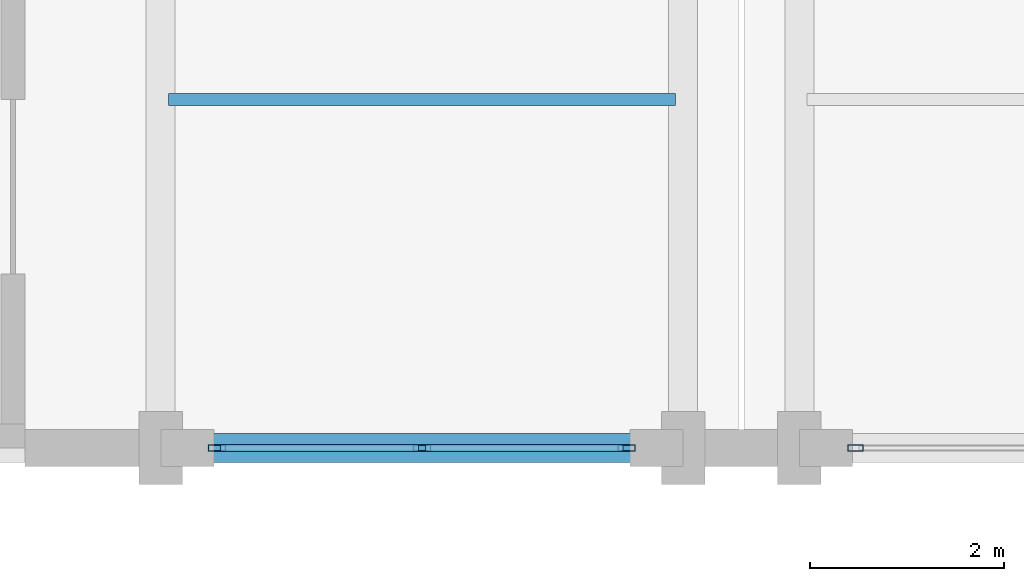
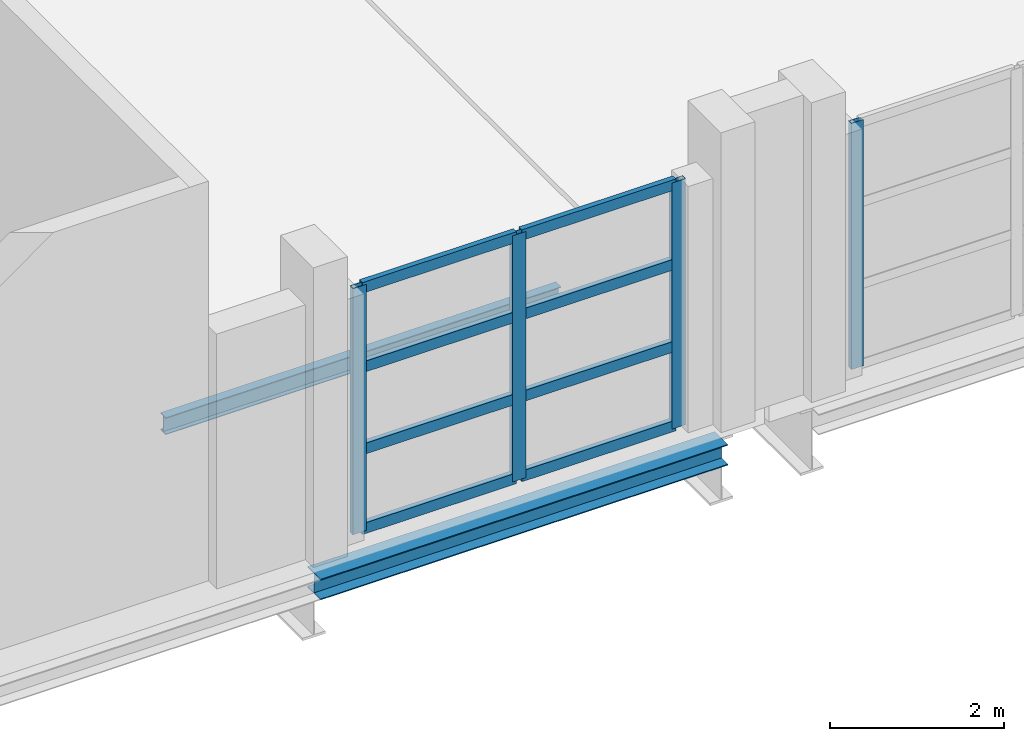
# One storey, part 68 of 147: 12 members, 2 beams, 2 elements without a shape of their own.
"""IFC4 building model written with IfcOpenShell, lengths in metres."""

from ifc_helpers import new_model, si_unit, direction, frame, origin, origin_2d, place, context, subcontext, project, spatial, hollow_rectangle, i_section, extrude, material, layer, layer_set, material_profile, profile_set, type_object, element, aggregate, save


model = new_model("IFC4")

# Units and contexts
model_context = context("Model", 3, precision=1e-05, world=origin(), true_north=direction((0.0, 1.0)))
body_context = subcontext(model_context, "Body", "Model", "MODEL_VIEW")
ifc_project = project(units=[si_unit("LENGTHUNIT", "METRE"), si_unit("AREAUNIT", "SQUARE_METRE"), si_unit("VOLUMEUNIT", "CUBIC_METRE"), si_unit("PLANEANGLEUNIT", "RADIAN"), si_unit("MASSUNIT", "GRAM", prefix="KILO")], contexts=[model_context])

# Site, building, storey
site_placement = place(None, origin())
site = spatial("IfcSite", under=ifc_project, at=site_placement, CompositionType="ELEMENT")
building_placement = place(site_placement, origin())
building = spatial("IfcBuilding", under=site, at=building_placement, Name="Zilviju Railside Exhibition Hall", CompositionType="ELEMENT")
storey_placement = place(building_placement, frame((0.0, 0.0, 8.39990234375)))
storey = spatial("IfcBuildingStorey", under=building, at=storey_placement, Name="L03", CompositionType="ELEMENT", Elevation=8.39990234375)

# Beams
ifc_material_1 = material(Name="Steel S355J2", Category="steel")
ifc_material_profile_1 = material_profile(ifc_material_1, i_section(OverallWidth=0.300048828125, OverallDepth=0.2900390625, WebThickness=0.008544921875, FlangeThickness=0.013916015625, at=origin_2d()), Name="HEA 300")
ifc_profile_set_1 = profile_set([ifc_material_profile_1], Name="Steel S355J2")
beam_type_1 = type_object("IfcBeamType", Name="BM-HEA300", PredefinedType="SPANDREL", material=ifc_profile_set_1)
beam_1_placement = place(storey_placement, frame((120.0, 84.0, -0.52490234375), z_axis=(1.0, 0.0, 0.0), x_axis=(0.0, 1.0, 0.0)))
element("IfcBeam", 1, at=beam_1_placement, inside=storey, type_object=beam_type_1, Name="Primary Girder L03 Y=84.0 (120.0..125.4)", PredefinedType="SPANDREL", context=body_context, shape_type="SweptSolid", body=[
    extrude(i_section(OverallWidth=0.300048828125, OverallDepth=0.2900390625, WebThickness=0.008544921875, FlangeThickness=0.013916015625, at=origin_2d()), origin(), (0.0, 0.0, 1.0), 5.39990234375),
])
ifc_material_profile_2 = material_profile(ifc_material_1, i_section(OverallWidth=0.1201171875, OverallDepth=0.239990234375, WebThickness=0.006103515625, FlangeThickness=0.009765625, at=origin_2d()), Name="IPE 240")
ifc_profile_set_2 = profile_set([ifc_material_profile_2], Name="Steel S355J2")
beam_type_2 = type_object("IfcBeamType", Name="BM-IPE240", PredefinedType="JOIST", material=ifc_profile_set_2)
beam_2_placement = place(storey_placement, frame((120.080078125, 87.60009765625, -0.5), z_axis=(1.0, 0.0, 0.0), x_axis=(0.0, 1.0, 0.0)))
element("IfcBeam", 2, at=beam_2_placement, inside=storey, type_object=beam_type_2, Name="Composite Floor Joist L03 Y=87.60 (120.0..125.4)", PredefinedType="JOIST", context=body_context, shape_type="SweptSolid", body=[
    extrude(i_section(OverallWidth=0.1201171875, OverallDepth=0.239990234375, WebThickness=0.006103515625, FlangeThickness=0.009765625, at=origin_2d()), origin(), (0.0, 0.0, 1.0), 5.239990234375),
])

# Curtain wall, member
ifc_material_2 = material(Name="Thermally broken aluminium-steel triple-glazed curtain wall", Category="steel")
ifc_layer_1 = layer(ifc_material_2, 0.179931640625)
ifc_layer_set_1 = layer_set([ifc_layer_1], Name="Thermally broken aluminium-steel triple-glazed curtain wall")
curtain_wall_type_1 = type_object("IfcCurtainWallType", Name="CW-BAY-20", PredefinedType="USERDEFINED", material=ifc_layer_set_1)
curtain_wall_1_placement = place(storey_placement, origin())
curtain_wall_1 = element("IfcCurtainWall", 3, at=curtain_wall_1_placement, inside=storey, type_object=curtain_wall_type_1, Name="North Hall Garden Court Curtain Wall L03 (127..132)", ObjectType="GLAZED CURTAIN WALL", PredefinedType="USERDEFINED")
ifc_material_3 = material(Name="Thermally broken anodized aluminium mullion", Category="aluminium")
ifc_material_profile_3 = material_profile(ifc_material_3, hollow_rectangle(XDim=0.06494140625, YDim=0.159912109375, WallThickness=0.0048828125, at=origin_2d()), Name="MULLION 160x65x5")
ifc_profile_set_3 = profile_set([ifc_material_profile_3], Name="Thermally broken anodized aluminium mullion")
member_type_1 = type_object("IfcMemberType", Name="CWM-65x160", PredefinedType="MULLION", material=ifc_profile_set_3)
member_1_placement = place(storey_placement, frame((127.1826171875, 84.0, 0.0), z_axis=(0.0, 0.0, 1.0), x_axis=(0.0, -1.0, 0.0)))
member_1 = element("IfcMember", 4, at=member_1_placement, type_object=member_type_1, Name="CW-20 mullion 3", PredefinedType="MULLION", context=body_context, shape_type="SweptSolid", body=[
    extrude(hollow_rectangle(XDim=0.06494140625, YDim=0.159912109375, WallThickness=0.0048828125, at=origin_2d()), origin(), (0.0, 0.0, 1.0), 3.4501953125),
])
aggregate(curtain_wall_1, [member_1])

# Curtain wall, members
ifc_layer_2 = layer(ifc_material_2, 0.179931640625)
ifc_layer_set_2 = layer_set([ifc_layer_2], Name="Thermally broken aluminium-steel triple-glazed curtain wall")
curtain_wall_type_2 = type_object("IfcCurtainWallType", Name="CW-BAY-19", PredefinedType="USERDEFINED", material=ifc_layer_set_2)
curtain_wall_2_placement = place(storey_placement, origin())
curtain_wall_2 = element("IfcCurtainWall", 5, at=curtain_wall_2_placement, inside=storey, type_object=curtain_wall_type_2, Name="North Hall Garden Court Curtain Wall L03 (120..125)", ObjectType="GLAZED CURTAIN WALL", PredefinedType="USERDEFINED")
ifc_material_profile_4 = material_profile(ifc_material_3, hollow_rectangle(XDim=0.070068359375, YDim=0.179931640625, WallThickness=0.0048828125, at=origin_2d()), Name="MULLION 180x70x5")
ifc_profile_set_4 = profile_set([ifc_material_profile_4], Name="Thermally broken anodized aluminium mullion")
member_type_2 = type_object("IfcMemberType", Name="CWM-70x180", PredefinedType="MULLION", material=ifc_profile_set_4)
member_2_placement = place(storey_placement, frame((124.81494140625, 84.0, 0.0), z_axis=(0.0, 0.0, 1.0), x_axis=(0.0, -1.0, 0.0)))
member_2 = element("IfcMember", 6, at=member_2_placement, type_object=member_type_2, Name="CW-19 mullion 1", PredefinedType="MULLION", context=body_context, shape_type="SweptSolid", body=[
    extrude(hollow_rectangle(XDim=0.070068359375, YDim=0.179931640625, WallThickness=0.0048828125, at=origin_2d()), origin(), (0.0, 0.0, 1.0), 3.4501953125),
])
member_3_placement = place(storey_placement, frame((122.699951171875, 84.0, 0.0), z_axis=(0.0, 0.0, 1.0), x_axis=(0.0, -1.0, 0.0)))
member_3 = element("IfcMember", 7, at=member_3_placement, type_object=member_type_2, Name="CW-19 mullion 2", PredefinedType="MULLION", context=body_context, shape_type="SweptSolid", body=[
    extrude(hollow_rectangle(XDim=0.070068359375, YDim=0.179931640625, WallThickness=0.0048828125, at=origin_2d()), origin(), (0.0, 0.0, 1.0), 3.4501953125),
])
member_4_placement = place(storey_placement, frame((120.5849609375, 84.0, 0.0), z_axis=(0.0, 0.0, 1.0), x_axis=(0.0, -1.0, 0.0)))
member_4 = element("IfcMember", 8, at=member_4_placement, type_object=member_type_2, Name="CW-19 mullion 3", PredefinedType="MULLION", context=body_context, shape_type="SweptSolid", body=[
    extrude(hollow_rectangle(XDim=0.070068359375, YDim=0.179931640625, WallThickness=0.0048828125, at=origin_2d()), origin(), (0.0, 0.0, 1.0), 3.4501953125),
])
ifc_material_4 = material(Name="Thermally broken anodized aluminium transom", Category="aluminium")
ifc_material_profile_5 = material_profile(ifc_material_4, hollow_rectangle(XDim=0.070068359375, YDim=0.14990234375, WallThickness=0.0048828125, at=origin_2d()), Name="TRANSOM 150x70x5")
ifc_profile_set_5 = profile_set([ifc_material_profile_5], Name="Thermally broken anodized aluminium transom")
member_type_3 = type_object("IfcMemberType", Name="CWT-70x150", PredefinedType="USERDEFINED", material=ifc_profile_set_5)
member_5_placement = place(storey_placement, frame((124.780029296875, 84.0, 0.03515625), z_axis=(-1.0, 0.0, 0.0), x_axis=(0.0, -1.0, 0.0)))
member_5 = element("IfcMember", 9, at=member_5_placement, type_object=member_type_3, Name="CW-19 transom 1.1", ObjectType="TRANSOM", PredefinedType="USERDEFINED", context=body_context, shape_type="SweptSolid", body=[
    extrude(hollow_rectangle(XDim=0.070068359375, YDim=0.14990234375, WallThickness=0.0048828125, at=origin_2d()), origin(), (0.0, 0.0, 1.0), 2.044921875),
])
member_6_placement = place(storey_placement, frame((124.780029296875, 84.0, 1.150146484375), z_axis=(-1.0, 0.0, 0.0), x_axis=(0.0, -1.0, 0.0)))
member_6 = element("IfcMember", 10, at=member_6_placement, type_object=member_type_3, Name="CW-19 transom 1.2", ObjectType="TRANSOM", PredefinedType="USERDEFINED", context=body_context, shape_type="SweptSolid", body=[
    extrude(hollow_rectangle(XDim=0.070068359375, YDim=0.14990234375, WallThickness=0.0048828125, at=origin_2d()), origin(), (0.0, 0.0, 1.0), 2.044921875),
])
member_7_placement = place(storey_placement, frame((124.780029296875, 84.0, 2.300048828125), z_axis=(-1.0, 0.0, 0.0), x_axis=(0.0, -1.0, 0.0)))
member_7 = element("IfcMember", 11, at=member_7_placement, type_object=member_type_3, Name="CW-19 transom 1.3", ObjectType="TRANSOM", PredefinedType="USERDEFINED", context=body_context, shape_type="SweptSolid", body=[
    extrude(hollow_rectangle(XDim=0.070068359375, YDim=0.14990234375, WallThickness=0.0048828125, at=origin_2d()), origin(), (0.0, 0.0, 1.0), 2.044921875),
])
member_8_placement = place(storey_placement, frame((124.780029296875, 84.0, 3.4150390625), z_axis=(-1.0, 0.0, 0.0), x_axis=(0.0, -1.0, 0.0)))
member_8 = element("IfcMember", 12, at=member_8_placement, type_object=member_type_3, Name="CW-19 transom 1.4", ObjectType="TRANSOM", PredefinedType="USERDEFINED", context=body_context, shape_type="SweptSolid", body=[
    extrude(hollow_rectangle(XDim=0.070068359375, YDim=0.14990234375, WallThickness=0.0048828125, at=origin_2d()), origin(), (0.0, 0.0, 1.0), 2.044921875),
])
member_9_placement = place(storey_placement, frame((122.6650390625, 84.0, 0.03515625), z_axis=(-1.0, 0.0, 0.0), x_axis=(0.0, -1.0, 0.0)))
member_9 = element("IfcMember", 13, at=member_9_placement, type_object=member_type_3, Name="CW-19 transom 2.1", ObjectType="TRANSOM", PredefinedType="USERDEFINED", context=body_context, shape_type="SweptSolid", body=[
    extrude(hollow_rectangle(XDim=0.070068359375, YDim=0.14990234375, WallThickness=0.0048828125, at=origin_2d()), origin(), (0.0, 0.0, 1.0), 2.044921875),
])
member_10_placement = place(storey_placement, frame((122.6650390625, 84.0, 1.150146484375), z_axis=(-1.0, 0.0, 0.0), x_axis=(0.0, -1.0, 0.0)))
member_10 = element("IfcMember", 14, at=member_10_placement, type_object=member_type_3, Name="CW-19 transom 2.2", ObjectType="TRANSOM", PredefinedType="USERDEFINED", context=body_context, shape_type="SweptSolid", body=[
    extrude(hollow_rectangle(XDim=0.070068359375, YDim=0.14990234375, WallThickness=0.0048828125, at=origin_2d()), origin(), (0.0, 0.0, 1.0), 2.044921875),
])
member_11_placement = place(storey_placement, frame((122.6650390625, 84.0, 2.300048828125), z_axis=(-1.0, 0.0, 0.0), x_axis=(0.0, -1.0, 0.0)))
member_11 = element("IfcMember", 15, at=member_11_placement, type_object=member_type_3, Name="CW-19 transom 2.3", ObjectType="TRANSOM", PredefinedType="USERDEFINED", context=body_context, shape_type="SweptSolid", body=[
    extrude(hollow_rectangle(XDim=0.070068359375, YDim=0.14990234375, WallThickness=0.0048828125, at=origin_2d()), origin(), (0.0, 0.0, 1.0), 2.044921875),
])
member_12_placement = place(storey_placement, frame((122.6650390625, 84.0, 3.4150390625), z_axis=(-1.0, 0.0, 0.0), x_axis=(0.0, -1.0, 0.0)))
member_12 = element("IfcMember", 16, at=member_12_placement, type_object=member_type_3, Name="CW-19 transom 2.4", ObjectType="TRANSOM", PredefinedType="USERDEFINED", context=body_context, shape_type="SweptSolid", body=[
    extrude(hollow_rectangle(XDim=0.070068359375, YDim=0.14990234375, WallThickness=0.0048828125, at=origin_2d()), origin(), (0.0, 0.0, 1.0), 2.044921875),
])
aggregate(curtain_wall_2, [member_2, member_3, member_4, member_5, member_6, member_7, member_8, member_9, member_10, member_11, member_12])

save(model, "model.ifc")
